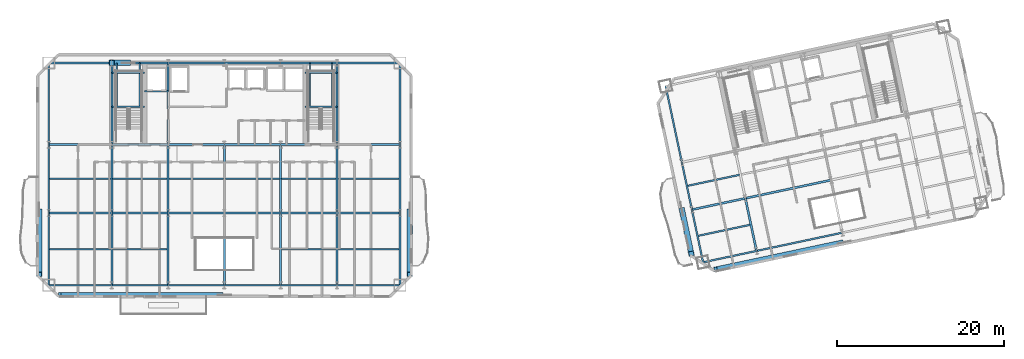
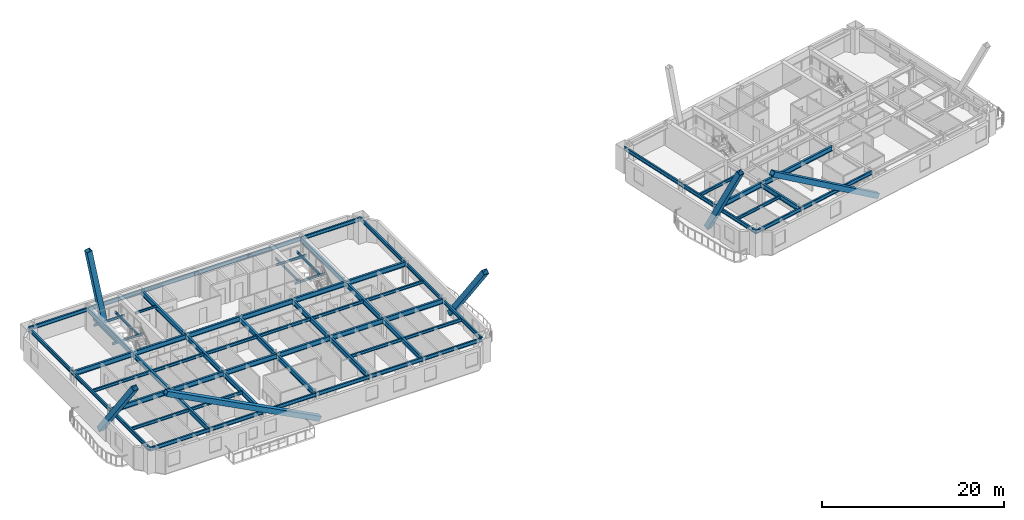
# One storey, part 3 of 14: 72 beams, 6 members.
"""IFC4 building model written with IfcOpenShell, lengths in metres."""

from ifc_helpers import new_model, si_unit, direction, frame, origin, origin_2d, place, context, subcontext, project, spatial, hollow_rectangle, i_section, extrude, material, material_profile, profile_set, type_object, element, save


model = new_model("IFC4")

# Units and contexts
model_context = context("Model", 3, precision=1e-05, world=origin(), true_north=direction((0.0, 1.0)))
body_context = subcontext(model_context, "Body", "Model", "MODEL_VIEW")
ifc_project = project(units=[si_unit("LENGTHUNIT", "METRE"), si_unit("AREAUNIT", "SQUARE_METRE"), si_unit("VOLUMEUNIT", "CUBIC_METRE"), si_unit("PLANEANGLEUNIT", "RADIAN"), si_unit("MASSUNIT", "GRAM", prefix="KILO")], contexts=[model_context])

# Site, building, storey
site_placement = place(None, origin())
site = spatial("IfcSite", under=ifc_project, at=site_placement, CompositionType="ELEMENT")
building_placement = place(site_placement, origin())
building = spatial("IfcBuilding", under=site, at=building_placement, Name="Haevon Station Towers", CompositionType="ELEMENT")
storey_placement = place(building_placement, frame((0.0, 0.0, 123.0)))
storey = spatial("IfcBuildingStorey", under=building, at=storey_placement, Name="L33", CompositionType="ELEMENT", Elevation=123.0)

# Beams
ifc_material_1 = material(Name="Steel S355", Category="steel")
ifc_material_profile_1 = material_profile(ifc_material_1, i_section(OverallWidth=0.25, OverallDepth=0.64990234375, WebThickness=0.012939453125, FlangeThickness=0.02197265625, at=origin_2d()), Name="H-650x250x13x22")
ifc_profile_set_1 = profile_set([ifc_material_profile_1], Name="Steel S355")
beam_type_1 = type_object("IfcBeamType", Name="BM-G650", PredefinedType="BEAM", material=ifc_profile_set_1)
beam_1_placement = place(storey_placement, frame((16.449951171875, 30.0, 2.72509765625), z_axis=(1.0, 0.0, 0.0), x_axis=(0.0, 1.0, 0.0)))
element("IfcBeam", 1, at=beam_1_placement, inside=storey, type_object=beam_type_1, Name="BM-T1U-L33-02-01", PredefinedType="BEAM", context=body_context, shape_type="SweptSolid", body=[
    extrude(i_section(OverallWidth=0.25, OverallDepth=0.64990234375, WebThickness=0.012939453125, FlangeThickness=0.02197265625, at=origin_2d()), origin(), (0.0, 0.0, 1.0), 7.550048828125),
])
for number, where, z_axis, x_axis, name in (
    (2, (24.0, 30.0, 2.72509765625), (1.0, 0.0, 0.0), (0.0, 1.0, 0.0), "BM-T1U-L33-02-02"),
    (3, (30.75, 30.0, 2.72509765625), (1.0, 0.0, 0.0), (0.0, 1.0, 0.0), "BM-T1U-L33-02-03"),
    (4, (37.5, 30.0, 2.72509765625), (1.0, 0.0, 0.0), (0.0, 1.0, 0.0), "BM-T1U-L33-02-04"),
    (5, (44.25, 30.0, 2.72509765625), (1.0, 0.0, 0.0), (0.0, 1.0, 0.0), "BM-T1U-L33-02-05"),
):
    element("IfcBeam", number, at=place(storey_placement, frame(where, z_axis=z_axis, x_axis=x_axis)), inside=storey, type_object=beam_type_1, Name=name, PredefinedType="BEAM", context=body_context, shape_type="SweptSolid", body=[
        extrude(i_section(OverallWidth=0.25, OverallDepth=0.64990234375, WebThickness=0.012939453125, FlangeThickness=0.02197265625, at=origin_2d()), origin(), (0.0, 0.0, 1.0), 6.75),
    ])
for number, where, z_axis, x_axis, name in (
    (6, (51.0, 30.0, 2.72509765625), (1.0, 0.0, 0.0), (0.0, 1.0, 0.0), "BM-T1U-L33-02-06"),
    (7, (16.449951171875, 38.199951171875, 2.72509765625), (1.0, 0.0, 0.0), (0.0, 1.0, 0.0), "BM-T1U-L33-03-01"),
):
    element("IfcBeam", number, at=place(storey_placement, frame(where, z_axis=z_axis, x_axis=x_axis)), inside=storey, type_object=beam_type_1, Name=name, PredefinedType="BEAM", context=body_context, shape_type="SweptSolid", body=[
        extrude(i_section(OverallWidth=0.25, OverallDepth=0.64990234375, WebThickness=0.012939453125, FlangeThickness=0.02197265625, at=origin_2d()), origin(), (0.0, 0.0, 1.0), 7.550048828125),
    ])
for number, where, z_axis, x_axis, name in (
    (8, (24.0, 38.199951171875, 2.72509765625), (1.0, 0.0, 0.0), (0.0, 1.0, 0.0), "BM-T1U-L33-03-02"),
    (9, (30.75, 38.199951171875, 2.72509765625), (1.0, 0.0, 0.0), (0.0, 1.0, 0.0), "BM-T1U-L33-03-03"),
    (10, (37.5, 38.199951171875, 2.72509765625), (1.0, 0.0, 0.0), (0.0, 1.0, 0.0), "BM-T1U-L33-03-04"),
    (11, (44.25, 38.199951171875, 2.72509765625), (1.0, 0.0, 0.0), (0.0, 1.0, 0.0), "BM-T1U-L33-03-05"),
):
    element("IfcBeam", number, at=place(storey_placement, frame(where, z_axis=z_axis, x_axis=x_axis)), inside=storey, type_object=beam_type_1, Name=name, PredefinedType="BEAM", context=body_context, shape_type="SweptSolid", body=[
        extrude(i_section(OverallWidth=0.25, OverallDepth=0.64990234375, WebThickness=0.012939453125, FlangeThickness=0.02197265625, at=origin_2d()), origin(), (0.0, 0.0, 1.0), 6.75),
    ])
beam_2_placement = place(storey_placement, frame((51.0, 38.199951171875, 2.72509765625), z_axis=(1.0, 0.0, 0.0), x_axis=(0.0, 1.0, 0.0)))
element("IfcBeam", 12, at=beam_2_placement, inside=storey, type_object=beam_type_1, Name="BM-T1U-L33-03-06", PredefinedType="BEAM", context=body_context, shape_type="SweptSolid", body=[
    extrude(i_section(OverallWidth=0.25, OverallDepth=0.64990234375, WebThickness=0.012939453125, FlangeThickness=0.02197265625, at=origin_2d()), origin(), (0.0, 0.0, 1.0), 7.550048828125),
])
beam_3_placement = place(storey_placement, frame((24.0, 21.35009765625, 2.72509765625), z_axis=(0.0, 1.0, 0.0), x_axis=(-1.0, 0.0, 0.0)))
element("IfcBeam", 13, at=beam_3_placement, inside=storey, type_object=beam_type_1, Name="BM-T1V-L33-02-01", PredefinedType="BEAM", context=body_context, shape_type="SweptSolid", body=[
    extrude(i_section(OverallWidth=0.25, OverallDepth=0.64990234375, WebThickness=0.012939453125, FlangeThickness=0.02197265625, at=origin_2d()), origin(), (0.0, 0.0, 1.0), 8.64990234375),
])
beam_4_placement = place(storey_placement, frame((24.0, 30.0, 2.72509765625), z_axis=(0.0, 1.0, 0.0), x_axis=(-1.0, 0.0, 0.0)))
element("IfcBeam", 14, at=beam_4_placement, inside=storey, type_object=beam_type_1, Name="BM-T1V-L33-02-02", PredefinedType="BEAM", context=body_context, shape_type="SweptSolid", body=[
    extrude(i_section(OverallWidth=0.25, OverallDepth=0.64990234375, WebThickness=0.012939453125, FlangeThickness=0.02197265625, at=origin_2d()), origin(), (0.0, 0.0, 1.0), 8.199951171875),
])
beam_5_placement = place(storey_placement, frame((24.0, 38.199951171875, 2.72509765625), z_axis=(0.0, 1.0, 0.0), x_axis=(-1.0, 0.0, 0.0)))
element("IfcBeam", 15, at=beam_5_placement, inside=storey, type_object=beam_type_1, Name="BM-T1V-L33-02-03", PredefinedType="BEAM", context=body_context, shape_type="SweptSolid", body=[
    extrude(i_section(OverallWidth=0.25, OverallDepth=0.64990234375, WebThickness=0.012939453125, FlangeThickness=0.02197265625, at=origin_2d()), origin(), (0.0, 0.0, 1.0), 9.800048828125),
])
beam_6_placement = place(storey_placement, frame((30.75, 21.35009765625, 2.72509765625), z_axis=(0.0, 1.0, 0.0), x_axis=(-1.0, 0.0, 0.0)))
element("IfcBeam", 16, at=beam_6_placement, inside=storey, type_object=beam_type_1, Name="BM-T1V-L33-03-01", PredefinedType="BEAM", context=body_context, shape_type="SweptSolid", body=[
    extrude(i_section(OverallWidth=0.25, OverallDepth=0.64990234375, WebThickness=0.012939453125, FlangeThickness=0.02197265625, at=origin_2d()), origin(), (0.0, 0.0, 1.0), 8.64990234375),
])
beam_7_placement = place(storey_placement, frame((30.75, 30.0, 2.72509765625), z_axis=(0.0, 1.0, 0.0), x_axis=(-1.0, 0.0, 0.0)))
element("IfcBeam", 17, at=beam_7_placement, inside=storey, type_object=beam_type_1, Name="BM-T1V-L33-03-02", PredefinedType="BEAM", context=body_context, shape_type="SweptSolid", body=[
    extrude(i_section(OverallWidth=0.25, OverallDepth=0.64990234375, WebThickness=0.012939453125, FlangeThickness=0.02197265625, at=origin_2d()), origin(), (0.0, 0.0, 1.0), 8.199951171875),
])
beam_8_placement = place(storey_placement, frame((30.75, 38.199951171875, 2.72509765625), z_axis=(0.0, 1.0, 0.0), x_axis=(-1.0, 0.0, 0.0)))
element("IfcBeam", 18, at=beam_8_placement, inside=storey, type_object=beam_type_1, Name="BM-T1V-L33-03-03", PredefinedType="BEAM", context=body_context, shape_type="SweptSolid", body=[
    extrude(i_section(OverallWidth=0.25, OverallDepth=0.64990234375, WebThickness=0.012939453125, FlangeThickness=0.02197265625, at=origin_2d()), origin(), (0.0, 0.0, 1.0), 9.800048828125),
])
beam_9_placement = place(storey_placement, frame((37.5, 21.35009765625, 2.72509765625), z_axis=(0.0, 1.0, 0.0), x_axis=(-1.0, 0.0, 0.0)))
element("IfcBeam", 19, at=beam_9_placement, inside=storey, type_object=beam_type_1, Name="BM-T1V-L33-04-01", PredefinedType="BEAM", context=body_context, shape_type="SweptSolid", body=[
    extrude(i_section(OverallWidth=0.25, OverallDepth=0.64990234375, WebThickness=0.012939453125, FlangeThickness=0.02197265625, at=origin_2d()), origin(), (0.0, 0.0, 1.0), 8.64990234375),
])
beam_10_placement = place(storey_placement, frame((37.5, 30.0, 2.72509765625), z_axis=(0.0, 1.0, 0.0), x_axis=(-1.0, 0.0, 0.0)))
element("IfcBeam", 20, at=beam_10_placement, inside=storey, type_object=beam_type_1, Name="BM-T1V-L33-04-02", PredefinedType="BEAM", context=body_context, shape_type="SweptSolid", body=[
    extrude(i_section(OverallWidth=0.25, OverallDepth=0.64990234375, WebThickness=0.012939453125, FlangeThickness=0.02197265625, at=origin_2d()), origin(), (0.0, 0.0, 1.0), 8.199951171875),
])
beam_11_placement = place(storey_placement, frame((44.25, 21.35009765625, 2.72509765625), z_axis=(0.0, 1.0, 0.0), x_axis=(-1.0, 0.0, 0.0)))
element("IfcBeam", 21, at=beam_11_placement, inside=storey, type_object=beam_type_1, Name="BM-T1V-L33-05-01", PredefinedType="BEAM", context=body_context, shape_type="SweptSolid", body=[
    extrude(i_section(OverallWidth=0.25, OverallDepth=0.64990234375, WebThickness=0.012939453125, FlangeThickness=0.02197265625, at=origin_2d()), origin(), (0.0, 0.0, 1.0), 8.64990234375),
])
beam_12_placement = place(storey_placement, frame((44.25, 30.0, 2.72509765625), z_axis=(0.0, 1.0, 0.0), x_axis=(-1.0, 0.0, 0.0)))
element("IfcBeam", 22, at=beam_12_placement, inside=storey, type_object=beam_type_1, Name="BM-T1V-L33-05-02", PredefinedType="BEAM", context=body_context, shape_type="SweptSolid", body=[
    extrude(i_section(OverallWidth=0.25, OverallDepth=0.64990234375, WebThickness=0.012939453125, FlangeThickness=0.02197265625, at=origin_2d()), origin(), (0.0, 0.0, 1.0), 8.199951171875),
])
beam_13_placement = place(storey_placement, frame((51.0, 21.35009765625, 2.72509765625), z_axis=(0.0, 1.0, 0.0), x_axis=(-1.0, 0.0, 0.0)))
element("IfcBeam", 23, at=beam_13_placement, inside=storey, type_object=beam_type_1, Name="BM-T1V-L33-06-01", PredefinedType="BEAM", context=body_context, shape_type="SweptSolid", body=[
    extrude(i_section(OverallWidth=0.25, OverallDepth=0.64990234375, WebThickness=0.012939453125, FlangeThickness=0.02197265625, at=origin_2d()), origin(), (0.0, 0.0, 1.0), 8.64990234375),
])
beam_14_placement = place(storey_placement, frame((51.0, 30.0, 2.72509765625), z_axis=(0.0, 1.0, 0.0), x_axis=(-1.0, 0.0, 0.0)))
element("IfcBeam", 24, at=beam_14_placement, inside=storey, type_object=beam_type_1, Name="BM-T1V-L33-06-02", PredefinedType="BEAM", context=body_context, shape_type="SweptSolid", body=[
    extrude(i_section(OverallWidth=0.25, OverallDepth=0.64990234375, WebThickness=0.012939453125, FlangeThickness=0.02197265625, at=origin_2d()), origin(), (0.0, 0.0, 1.0), 8.199951171875),
])
beam_15_placement = place(storey_placement, frame((51.0, 38.199951171875, 2.72509765625), z_axis=(0.0, 1.0, 0.0), x_axis=(-1.0, 0.0, 0.0)))
element("IfcBeam", 25, at=beam_15_placement, inside=storey, type_object=beam_type_1, Name="BM-T1V-L33-06-03", PredefinedType="BEAM", context=body_context, shape_type="SweptSolid", body=[
    extrude(i_section(OverallWidth=0.25, OverallDepth=0.64990234375, WebThickness=0.012939453125, FlangeThickness=0.02197265625, at=origin_2d()), origin(), (0.0, 0.0, 1.0), 9.800048828125),
])
beam_16_placement = place(storey_placement, frame((93.55126953125, 30.4072265625, 2.72509765625), z_axis=(0.978148524343, 0.207907345532, 0.0), x_axis=(-0.207907345532, 0.978148524343, 0.0)))
element("IfcBeam", 26, at=beam_16_placement, inside=storey, type_object=beam_type_1, Name="BM-T2U-L33-02-01", PredefinedType="BEAM", context=body_context, shape_type="SweptSolid", body=[
    extrude(i_section(OverallWidth=0.25, OverallDepth=0.64990234375, WebThickness=0.012939453125, FlangeThickness=0.02197265625, at=origin_2d()), origin(), (0.0, 0.0, 1.0), 6.550048828125),
])
beam_17_placement = place(storey_placement, frame((99.958251953125, 31.76904296875, 2.72509765625), z_axis=(0.978146794194, 0.207915485254, 0.0), x_axis=(-0.207915485254, 0.978146794194, 0.0)))
element("IfcBeam", 27, at=beam_17_placement, inside=storey, type_object=beam_type_1, Name="BM-T2U-L33-02-02", PredefinedType="BEAM", context=body_context, shape_type="SweptSolid", body=[
    extrude(i_section(OverallWidth=0.25, OverallDepth=0.64990234375, WebThickness=0.012939453125, FlangeThickness=0.02197265625, at=origin_2d()), origin(), (0.0, 0.0, 1.0), 10.5),
])
beam_18_placement = place(storey_placement, frame((101.29931640625, 25.460205078125, 2.72509765625), z_axis=(-0.207923493292, 0.978145091966, 0.0), x_axis=(-0.978145091966, -0.207923493292, 0.0)))
element("IfcBeam", 28, at=beam_18_placement, inside=storey, type_object=beam_type_1, Name="BM-T2V-L33-02-01", PredefinedType="BEAM", context=body_context, shape_type="SweptSolid", body=[
    extrude(i_section(OverallWidth=0.25, OverallDepth=0.64990234375, WebThickness=0.012939453125, FlangeThickness=0.02197265625, at=origin_2d()), origin(), (0.0, 0.0, 1.0), 6.44970703125),
])
ifc_material_profile_2 = material_profile(ifc_material_1, i_section(OverallWidth=0.199951171875, OverallDepth=0.39990234375, WebThickness=0.008056640625, FlangeThickness=0.012939453125, at=origin_2d()), Name="H-400x200x8x13")
ifc_profile_set_2 = profile_set([ifc_material_profile_2], Name="Steel S355")
beam_type_2 = type_object("IfcBeamType", Name="BM-J400", PredefinedType="JOIST", material=ifc_profile_set_2)
beam_19_placement = place(storey_placement, frame((16.56005859375, 25.675048828125, 2.85009765625), z_axis=(1.0, 0.0, 0.0), x_axis=(0.0, 1.0, 0.0)))
element("IfcBeam", 29, at=beam_19_placement, inside=storey, type_object=beam_type_2, Name="BM-T1J-L33-01-01", PredefinedType="JOIST", context=body_context, shape_type="SweptSolid", body=[
    extrude(i_section(OverallWidth=0.199951171875, OverallDepth=0.39990234375, WebThickness=0.008056640625, FlangeThickness=0.012939453125, at=origin_2d()), origin(), (0.0, 0.0, 1.0), 7.329833984375),
])
for number, where, z_axis, x_axis, name in (
    (30, (24.110107421875, 25.675048828125, 2.85009765625), (1.0, 0.0, 0.0), (0.0, 1.0, 0.0), "BM-T1J-L33-01-02"),
    (31, (44.360107421875, 25.675048828125, 2.85009765625), (1.0, 0.0, 0.0), (0.0, 1.0, 0.0), "BM-T1J-L33-01-05"),
):
    element("IfcBeam", number, at=place(storey_placement, frame(where, z_axis=z_axis, x_axis=x_axis)), inside=storey, type_object=beam_type_2, Name=name, PredefinedType="JOIST", context=body_context, shape_type="SweptSolid", body=[
        extrude(i_section(OverallWidth=0.199951171875, OverallDepth=0.39990234375, WebThickness=0.008056640625, FlangeThickness=0.012939453125, at=origin_2d()), origin(), (0.0, 0.0, 1.0), 6.52978515625),
    ])
for number, where, z_axis, x_axis, name in (
    (32, (51.110107421875, 25.675048828125, 2.85009765625), (1.0, 0.0, 0.0), (0.0, 1.0, 0.0), "BM-T1J-L33-01-06"),
    (33, (16.56005859375, 34.10009765625, 2.85009765625), (1.0, 0.0, 0.0), (0.0, 1.0, 0.0), "BM-T1J-L33-02-01"),
):
    element("IfcBeam", number, at=place(storey_placement, frame(where, z_axis=z_axis, x_axis=x_axis)), inside=storey, type_object=beam_type_2, Name=name, PredefinedType="JOIST", context=body_context, shape_type="SweptSolid", body=[
        extrude(i_section(OverallWidth=0.199951171875, OverallDepth=0.39990234375, WebThickness=0.008056640625, FlangeThickness=0.012939453125, at=origin_2d()), origin(), (0.0, 0.0, 1.0), 7.329833984375),
    ])
for number, where, z_axis, x_axis, name in (
    (34, (24.110107421875, 34.10009765625, 2.85009765625), (1.0, 0.0, 0.0), (0.0, 1.0, 0.0), "BM-T1J-L33-02-02"),
    (35, (30.860107421875, 34.10009765625, 2.85009765625), (1.0, 0.0, 0.0), (0.0, 1.0, 0.0), "BM-T1J-L33-02-03"),
    (36, (37.610107421875, 34.10009765625, 2.85009765625), (1.0, 0.0, 0.0), (0.0, 1.0, 0.0), "BM-T1J-L33-02-04"),
    (37, (44.360107421875, 34.10009765625, 2.85009765625), (1.0, 0.0, 0.0), (0.0, 1.0, 0.0), "BM-T1J-L33-02-05"),
):
    element("IfcBeam", number, at=place(storey_placement, frame(where, z_axis=z_axis, x_axis=x_axis)), inside=storey, type_object=beam_type_2, Name=name, PredefinedType="JOIST", context=body_context, shape_type="SweptSolid", body=[
        extrude(i_section(OverallWidth=0.199951171875, OverallDepth=0.39990234375, WebThickness=0.008056640625, FlangeThickness=0.012939453125, at=origin_2d()), origin(), (0.0, 0.0, 1.0), 6.52978515625),
    ])
beam_20_placement = place(storey_placement, frame((51.110107421875, 34.10009765625, 2.85009765625), z_axis=(1.0, 0.0, 0.0), x_axis=(0.0, 1.0, 0.0)))
element("IfcBeam", 38, at=beam_20_placement, inside=storey, type_object=beam_type_2, Name="BM-T1J-L33-02-06", PredefinedType="JOIST", context=body_context, shape_type="SweptSolid", body=[
    extrude(i_section(OverallWidth=0.199951171875, OverallDepth=0.39990234375, WebThickness=0.008056640625, FlangeThickness=0.012939453125, at=origin_2d()), origin(), (0.0, 0.0, 1.0), 7.329833984375),
])
beam_21_placement = place(storey_placement, frame((94.32958984375, 27.275634765625, 2.85009765625), z_axis=(0.978144831517, 0.207924718533, 0.0), x_axis=(-0.207924718533, 0.978144831517, 0.0)))
element("IfcBeam", 39, at=beam_21_placement, inside=storey, type_object=beam_type_2, Name="BM-T2J-L33-01-01", PredefinedType="JOIST", context=body_context, shape_type="SweptSolid", body=[
    extrude(i_section(OverallWidth=0.199951171875, OverallDepth=0.39990234375, WebThickness=0.008056640625, FlangeThickness=0.012939453125, at=origin_2d()), origin(), (0.0, 0.0, 1.0), 6.330078125),
])
beam_22_placement = place(storey_placement, frame((93.055908203125, 33.266845703125, 2.85009765625), z_axis=(0.978146498858, 0.207916874669, 0.0), x_axis=(-0.207916874669, 0.978146498858, 0.0)))
element("IfcBeam", 40, at=beam_22_placement, inside=storey, type_object=beam_type_2, Name="BM-T2J-L33-02-01", PredefinedType="JOIST", context=body_context, shape_type="SweptSolid", body=[
    extrude(i_section(OverallWidth=0.199951171875, OverallDepth=0.39990234375, WebThickness=0.008056640625, FlangeThickness=0.012939453125, at=origin_2d()), origin(), (0.0, 0.0, 1.0), 6.330322265625),
])
ifc_material_profile_3 = material_profile(ifc_material_1, i_section(OverallWidth=0.14990234375, OverallDepth=0.300048828125, WebThickness=0.006591796875, FlangeThickness=0.009033203125, at=origin_2d()), Name="H-300x150x6.5x9")
ifc_profile_set_3 = profile_set([ifc_material_profile_3], Name="Steel S355")
beam_type_3 = type_object("IfcBeamType", Name="BM-LIN300", PredefinedType="LINTEL", material=ifc_profile_set_3)
for number, where, z_axis, x_axis, name in (
    (41, (24.0, 42.743896484375, 1.300048828125), (1.0, 0.0, 0.0), (0.0, 1.0, 0.0), "BM-ST1L-L33-1-S"),
    (42, (24.0, 46.820068359375, 1.300048828125), (1.0, 0.0, 0.0), (0.0, 1.0, 0.0), "BM-ST1L-L33-1-N"),
):
    element("IfcBeam", number, at=place(storey_placement, frame(where, z_axis=z_axis, x_axis=x_axis)), inside=storey, type_object=beam_type_3, Name=name, PredefinedType="LINTEL", context=body_context, shape_type="SweptSolid", body=[
        extrude(i_section(OverallWidth=0.14990234375, OverallDepth=0.300048828125, WebThickness=0.006591796875, FlangeThickness=0.009033203125, at=origin_2d()), origin(), (0.0, 0.0, 1.0), 3.949951171875),
    ])
for number, where, z_axis, x_axis, name in (
    (43, (24.60009765625, 42.743896484375, 1.300048828125), (0.0, 1.0, 0.0), (-1.0, 0.0, 0.0), "BM-ST1L-L33-1-W"),
    (44, (27.35009765625, 42.743896484375, 1.300048828125), (0.0, 1.0, 0.0), (-1.0, 0.0, 0.0), "BM-ST1L-L33-1-E"),
):
    element("IfcBeam", number, at=place(storey_placement, frame(where, z_axis=z_axis, x_axis=x_axis)), inside=storey, type_object=beam_type_3, Name=name, PredefinedType="LINTEL", context=body_context, shape_type="SweptSolid", body=[
        extrude(i_section(OverallWidth=0.14990234375, OverallDepth=0.300048828125, WebThickness=0.006591796875, FlangeThickness=0.009033203125, at=origin_2d()), origin(), (0.0, 0.0, 1.0), 5.256103515625),
    ])
for number, where, z_axis, x_axis, name in (
    (45, (47.14990234375, 42.743896484375, 1.300048828125), (1.0, 0.0, 0.0), (0.0, 1.0, 0.0), "BM-ST2L-L33-1-S"),
    (46, (47.14990234375, 46.820068359375, 1.300048828125), (1.0, 0.0, 0.0), (0.0, 1.0, 0.0), "BM-ST2L-L33-1-N"),
):
    element("IfcBeam", number, at=place(storey_placement, frame(where, z_axis=z_axis, x_axis=x_axis)), inside=storey, type_object=beam_type_3, Name=name, PredefinedType="LINTEL", context=body_context, shape_type="SweptSolid", body=[
        extrude(i_section(OverallWidth=0.14990234375, OverallDepth=0.300048828125, WebThickness=0.006591796875, FlangeThickness=0.009033203125, at=origin_2d()), origin(), (0.0, 0.0, 1.0), 3.85009765625),
    ])
for number, where, z_axis, x_axis, name in (
    (47, (47.75, 42.743896484375, 1.300048828125), (0.0, 1.0, 0.0), (-1.0, 0.0, 0.0), "BM-ST2L-L33-1-W"),
    (48, (50.39990234375, 42.743896484375, 1.300048828125), (0.0, 1.0, 0.0), (-1.0, 0.0, 0.0), "BM-ST2L-L33-1-E"),
):
    element("IfcBeam", number, at=place(storey_placement, frame(where, z_axis=z_axis, x_axis=x_axis)), inside=storey, type_object=beam_type_3, Name=name, PredefinedType="LINTEL", context=body_context, shape_type="SweptSolid", body=[
        extrude(i_section(OverallWidth=0.14990234375, OverallDepth=0.300048828125, WebThickness=0.006591796875, FlangeThickness=0.009033203125, at=origin_2d()), origin(), (0.0, 0.0, 1.0), 5.256103515625),
    ])
beam_23_placement = place(storey_placement, frame((27.949951171875, 44.60009765625, 2.89990234375), z_axis=(1.0, 0.0, 0.0), x_axis=(0.0, 1.0, 0.0)))
element("IfcBeam", 49, at=beam_23_placement, inside=storey, type_object=beam_type_3, Name="BM-T1LIN-L33", PredefinedType="LINTEL", context=body_context, shape_type="SweptSolid", body=[
    extrude(i_section(OverallWidth=0.14990234375, OverallDepth=0.300048828125, WebThickness=0.006591796875, FlangeThickness=0.009033203125, at=origin_2d()), origin(), (0.0, 0.0, 1.0), 2.85009765625),
])
ifc_material_profile_4 = material_profile(ifc_material_1, i_section(OverallWidth=0.199951171875, OverallDepth=0.5, WebThickness=0.010009765625, FlangeThickness=0.01611328125, at=origin_2d()), Name="H-500x200x10x16")
ifc_profile_set_4 = profile_set([ifc_material_profile_4], Name="Steel S355")
beam_type_4 = type_object("IfcBeamType", Name="BM-SP500", PredefinedType="SPANDREL", material=ifc_profile_set_4)
beam_24_placement = place(storey_placement, frame((16.449951171875, 21.35009765625, 2.800048828125), z_axis=(1.0, 0.0, 0.0), x_axis=(0.0, 1.0, 0.0)))
element("IfcBeam", 50, at=beam_24_placement, inside=storey, type_object=beam_type_4, Name="BM-T1U-L33-01-01", PredefinedType="SPANDREL", context=body_context, shape_type="SweptSolid", body=[
    extrude(i_section(OverallWidth=0.199951171875, OverallDepth=0.5, WebThickness=0.010009765625, FlangeThickness=0.01611328125, at=origin_2d()), origin(), (0.0, 0.0, 1.0), 7.550048828125),
])
for number, where, z_axis, x_axis, name in (
    (51, (24.0, 21.35009765625, 2.800048828125), (1.0, 0.0, 0.0), (0.0, 1.0, 0.0), "BM-T1U-L33-01-02"),
    (52, (30.75, 21.35009765625, 2.800048828125), (1.0, 0.0, 0.0), (0.0, 1.0, 0.0), "BM-T1U-L33-01-03"),
    (53, (37.5, 21.35009765625, 2.800048828125), (1.0, 0.0, 0.0), (0.0, 1.0, 0.0), "BM-T1U-L33-01-04"),
    (54, (44.25, 21.35009765625, 2.800048828125), (1.0, 0.0, 0.0), (0.0, 1.0, 0.0), "BM-T1U-L33-01-05"),
):
    element("IfcBeam", number, at=place(storey_placement, frame(where, z_axis=z_axis, x_axis=x_axis)), inside=storey, type_object=beam_type_4, Name=name, PredefinedType="SPANDREL", context=body_context, shape_type="SweptSolid", body=[
        extrude(i_section(OverallWidth=0.199951171875, OverallDepth=0.5, WebThickness=0.010009765625, FlangeThickness=0.01611328125, at=origin_2d()), origin(), (0.0, 0.0, 1.0), 6.75),
    ])
for number, where, z_axis, x_axis, name in (
    (55, (51.0, 21.35009765625, 2.800048828125), (1.0, 0.0, 0.0), (0.0, 1.0, 0.0), "BM-T1U-L33-01-06"),
    (56, (16.449951171875, 48.0, 2.800048828125), (1.0, 0.0, 0.0), (0.0, 1.0, 0.0), "BM-T1U-L33-04-01"),
):
    element("IfcBeam", number, at=place(storey_placement, frame(where, z_axis=z_axis, x_axis=x_axis)), inside=storey, type_object=beam_type_4, Name=name, PredefinedType="SPANDREL", context=body_context, shape_type="SweptSolid", body=[
        extrude(i_section(OverallWidth=0.199951171875, OverallDepth=0.5, WebThickness=0.010009765625, FlangeThickness=0.01611328125, at=origin_2d()), origin(), (0.0, 0.0, 1.0), 7.550048828125),
    ])
for number, where, z_axis, x_axis, name in (
    (57, (24.0, 48.0, 2.800048828125), (1.0, 0.0, 0.0), (0.0, 1.0, 0.0), "BM-T1U-L33-04-02"),
    (58, (30.75, 48.0, 2.800048828125), (1.0, 0.0, 0.0), (0.0, 1.0, 0.0), "BM-T1U-L33-04-03"),
    (59, (37.5, 48.0, 2.800048828125), (1.0, 0.0, 0.0), (0.0, 1.0, 0.0), "BM-T1U-L33-04-04"),
    (60, (44.25, 48.0, 2.800048828125), (1.0, 0.0, 0.0), (0.0, 1.0, 0.0), "BM-T1U-L33-04-05"),
):
    element("IfcBeam", number, at=place(storey_placement, frame(where, z_axis=z_axis, x_axis=x_axis)), inside=storey, type_object=beam_type_4, Name=name, PredefinedType="SPANDREL", context=body_context, shape_type="SweptSolid", body=[
        extrude(i_section(OverallWidth=0.199951171875, OverallDepth=0.5, WebThickness=0.010009765625, FlangeThickness=0.01611328125, at=origin_2d()), origin(), (0.0, 0.0, 1.0), 6.75),
    ])
beam_25_placement = place(storey_placement, frame((51.0, 48.0, 2.800048828125), z_axis=(1.0, 0.0, 0.0), x_axis=(0.0, 1.0, 0.0)))
element("IfcBeam", 61, at=beam_25_placement, inside=storey, type_object=beam_type_4, Name="BM-T1U-L33-04-06", PredefinedType="SPANDREL", context=body_context, shape_type="SweptSolid", body=[
    extrude(i_section(OverallWidth=0.199951171875, OverallDepth=0.5, WebThickness=0.010009765625, FlangeThickness=0.01611328125, at=origin_2d()), origin(), (0.0, 0.0, 1.0), 7.550048828125),
])
beam_26_placement = place(storey_placement, frame((16.449951171875, 21.35009765625, 2.800048828125), z_axis=(0.0, 1.0, 0.0), x_axis=(-1.0, 0.0, 0.0)))
element("IfcBeam", 62, at=beam_26_placement, inside=storey, type_object=beam_type_4, Name="BM-T1V-L33-01-01", PredefinedType="SPANDREL", context=body_context, shape_type="SweptSolid", body=[
    extrude(i_section(OverallWidth=0.199951171875, OverallDepth=0.5, WebThickness=0.010009765625, FlangeThickness=0.01611328125, at=origin_2d()), origin(), (0.0, 0.0, 1.0), 8.64990234375),
])
beam_27_placement = place(storey_placement, frame((16.449951171875, 30.0, 2.800048828125), z_axis=(0.0, 1.0, 0.0), x_axis=(-1.0, 0.0, 0.0)))
element("IfcBeam", 63, at=beam_27_placement, inside=storey, type_object=beam_type_4, Name="BM-T1V-L33-01-02", PredefinedType="SPANDREL", context=body_context, shape_type="SweptSolid", body=[
    extrude(i_section(OverallWidth=0.199951171875, OverallDepth=0.5, WebThickness=0.010009765625, FlangeThickness=0.01611328125, at=origin_2d()), origin(), (0.0, 0.0, 1.0), 8.199951171875),
])
beam_28_placement = place(storey_placement, frame((16.449951171875, 38.199951171875, 2.800048828125), z_axis=(0.0, 1.0, 0.0), x_axis=(-1.0, 0.0, 0.0)))
element("IfcBeam", 64, at=beam_28_placement, inside=storey, type_object=beam_type_4, Name="BM-T1V-L33-01-03", PredefinedType="SPANDREL", context=body_context, shape_type="SweptSolid", body=[
    extrude(i_section(OverallWidth=0.199951171875, OverallDepth=0.5, WebThickness=0.010009765625, FlangeThickness=0.01611328125, at=origin_2d()), origin(), (0.0, 0.0, 1.0), 9.800048828125),
])
beam_29_placement = place(storey_placement, frame((58.550048828125, 21.35009765625, 2.800048828125), z_axis=(0.0, 1.0, 0.0), x_axis=(-1.0, 0.0, 0.0)))
element("IfcBeam", 65, at=beam_29_placement, inside=storey, type_object=beam_type_4, Name="BM-T1V-L33-07-01", PredefinedType="SPANDREL", context=body_context, shape_type="SweptSolid", body=[
    extrude(i_section(OverallWidth=0.199951171875, OverallDepth=0.5, WebThickness=0.010009765625, FlangeThickness=0.01611328125, at=origin_2d()), origin(), (0.0, 0.0, 1.0), 8.64990234375),
])
beam_30_placement = place(storey_placement, frame((58.550048828125, 30.0, 2.800048828125), z_axis=(0.0, 1.0, 0.0), x_axis=(-1.0, 0.0, 0.0)))
element("IfcBeam", 66, at=beam_30_placement, inside=storey, type_object=beam_type_4, Name="BM-T1V-L33-07-02", PredefinedType="SPANDREL", context=body_context, shape_type="SweptSolid", body=[
    extrude(i_section(OverallWidth=0.199951171875, OverallDepth=0.5, WebThickness=0.010009765625, FlangeThickness=0.01611328125, at=origin_2d()), origin(), (0.0, 0.0, 1.0), 8.199951171875),
])
beam_31_placement = place(storey_placement, frame((58.550048828125, 38.199951171875, 2.800048828125), z_axis=(0.0, 1.0, 0.0), x_axis=(-1.0, 0.0, 0.0)))
element("IfcBeam", 67, at=beam_31_placement, inside=storey, type_object=beam_type_4, Name="BM-T1V-L33-07-03", PredefinedType="SPANDREL", context=body_context, shape_type="SweptSolid", body=[
    extrude(i_section(OverallWidth=0.199951171875, OverallDepth=0.5, WebThickness=0.010009765625, FlangeThickness=0.01611328125, at=origin_2d()), origin(), (0.0, 0.0, 1.0), 9.800048828125),
])
beam_32_placement = place(storey_placement, frame((94.892333984375, 24.098388671875, 2.800048828125), z_axis=(0.978148524343, 0.207907345532, 0.0), x_axis=(-0.207907345532, 0.978148524343, 0.0)))
element("IfcBeam", 68, at=beam_32_placement, inside=storey, type_object=beam_type_4, Name="BM-T2U-L33-01-01", PredefinedType="SPANDREL", context=body_context, shape_type="SweptSolid", body=[
    extrude(i_section(OverallWidth=0.199951171875, OverallDepth=0.5, WebThickness=0.010009765625, FlangeThickness=0.01611328125, at=origin_2d()), origin(), (0.0, 0.0, 1.0), 6.550048828125),
])
beam_33_placement = place(storey_placement, frame((101.29931640625, 25.460205078125, 2.800048828125), z_axis=(0.978151522678, 0.207893238667, 0.0), x_axis=(-0.207893238667, 0.978151522678, 0.0)))
element("IfcBeam", 69, at=beam_33_placement, inside=storey, type_object=beam_type_4, Name="BM-T2U-L33-01-02", PredefinedType="SPANDREL", context=body_context, shape_type="SweptSolid", body=[
    extrude(i_section(OverallWidth=0.199951171875, OverallDepth=0.5, WebThickness=0.010009765625, FlangeThickness=0.01611328125, at=origin_2d()), origin(), (0.0, 0.0, 1.0), 10.5),
])
beam_34_placement = place(storey_placement, frame((94.892333984375, 24.098388671875, 2.800048828125), z_axis=(-0.207923493292, 0.978145091966, 0.0), x_axis=(-0.978145091966, -0.207923493292, 0.0)))
element("IfcBeam", 70, at=beam_34_placement, inside=storey, type_object=beam_type_4, Name="BM-T2V-L33-01-01", PredefinedType="SPANDREL", context=body_context, shape_type="SweptSolid", body=[
    extrude(i_section(OverallWidth=0.199951171875, OverallDepth=0.5, WebThickness=0.010009765625, FlangeThickness=0.01611328125, at=origin_2d()), origin(), (0.0, 0.0, 1.0), 6.44970703125),
])
beam_35_placement = place(storey_placement, frame((93.55126953125, 30.4072265625, 2.800048828125), z_axis=(-0.207896009217, 0.97815093383, 0.0), x_axis=(-0.97815093383, -0.207896009217, 0.0)))
element("IfcBeam", 71, at=beam_35_placement, inside=storey, type_object=beam_type_4, Name="BM-T2V-L33-01-02", PredefinedType="SPANDREL", context=body_context, shape_type="SweptSolid", body=[
    extrude(i_section(OverallWidth=0.199951171875, OverallDepth=0.5, WebThickness=0.010009765625, FlangeThickness=0.01611328125, at=origin_2d()), origin(), (0.0, 0.0, 1.0), 5.800048828125),
])
beam_36_placement = place(storey_placement, frame((92.345458984375, 36.08056640625, 2.800048828125), z_axis=(-0.207897167074, 0.978150687738, 0.0), x_axis=(-0.978150687738, -0.207897167074, 0.0)))
element("IfcBeam", 72, at=beam_36_placement, inside=storey, type_object=beam_type_4, Name="BM-T2V-L33-01-03", PredefinedType="SPANDREL", context=body_context, shape_type="SweptSolid", body=[
    extrude(i_section(OverallWidth=0.199951171875, OverallDepth=0.5, WebThickness=0.010009765625, FlangeThickness=0.01611328125, at=origin_2d()), origin(), (0.0, 0.0, 1.0), 9.35009765625),
])

# Members
ifc_material_2 = material(Name="Steel S460", Category="steel")
ifc_material_profile_5 = material_profile(ifc_material_2, hollow_rectangle(XDim=0.64990234375, YDim=0.64990234375, WallThickness=0.031982421875, at=origin_2d()), Name="RHS-650x650x32")
ifc_profile_set_5 = profile_set([ifc_material_profile_5], Name="Steel S460")
member_type = type_object("IfcMemberType", Name="MB-650", PredefinedType="BRACE", material=ifc_profile_set_5)
member_1_placement = place(storey_placement, frame((37.201416015625, 20.179931640625, 0.47119140625), z_axis=(-0.886021047832, 0.0, 0.463645018089), x_axis=(0.0, -1.0, 0.0)))
element("IfcMember", 73, at=member_1_placement, inside=storey, type_object=member_type, Name="BR-T1MB-T04-S-D2B", PredefinedType="BRACE", context=body_context, shape_type="SweptSolid", body=[
    extrude(hollow_rectangle(XDim=0.64990234375, YDim=0.64990234375, WallThickness=0.031982421875, at=origin_2d()), origin(), (0.0, 0.0, 1.0), 21.95361328125),
])
member_2_placement = place(storey_placement, frame((25.911865234375, 48.0, 0.64599609375), z_axis=(-0.187714592367, 0.0, 0.982223615992), x_axis=(0.0, -1.0, 0.0)))
element("IfcMember", 74, at=member_2_placement, inside=storey, type_object=member_type, Name="BR-T1MB-T04-N-D2B", PredefinedType="BRACE", context=body_context, shape_type="SweptSolid", body=[
    extrude(hollow_rectangle(XDim=0.64990234375, YDim=0.64990234375, WallThickness=0.031982421875, at=origin_2d()), origin(), (0.0, 0.0, 1.0), 10.18505859375),
])
for number, where, z_axis, x_axis, name in (
    (75, (15.280029296875, 30.222412109375, 0.584228515625), (0.0, -0.60118089079, 0.799112968578), (1.0, 0.0, 0.0), "BR-T1MB-T04-W-D2B"),
    (76, (59.719970703125, 30.222412109375, 0.584228515625), (0.0, -0.60118089079, 0.799112968578), (1.0, 0.0, 0.0), "BR-T1MB-T04-E-D2B"),
):
    element("IfcMember", number, at=place(storey_placement, frame(where, z_axis=z_axis, x_axis=x_axis)), inside=storey, type_object=member_type, Name=name, PredefinedType="BRACE", context=body_context, shape_type="SweptSolid", body=[
        extrude(hollow_rectangle(XDim=0.64990234375, YDim=0.64990234375, WallThickness=0.031982421875, at=origin_2d()), origin(), (0.0, 0.0, 1.0), 12.595947265625),
    ])
member_3_placement = place(storey_placement, frame((111.53759765625, 26.440185546875, 0.5), z_axis=(-0.817808056286, -0.173830727813, 0.548609935329), x_axis=(0.207911987507, -0.978147537671, 0.0)))
element("IfcMember", 77, at=member_3_placement, inside=storey, type_object=member_type, Name="BR-T2MB-T04-S-D2B", PredefinedType="BRACE", context=body_context, shape_type="SweptSolid", body=[
    extrude(hollow_rectangle(XDim=0.64990234375, YDim=0.64990234375, WallThickness=0.031982421875, at=origin_2d()), origin(), (0.0, 0.0, 1.0), 18.501220703125),
])
member_4_placement = place(storey_placement, frame((92.3720703125, 30.32763671875, 0.61279296875), z_axis=(0.097346624692, -0.457888086954, 0.883664039376), x_axis=(0.978139125272, 0.207951560736, 0.0)))
element("IfcMember", 78, at=member_4_placement, inside=storey, type_object=member_type, Name="BR-T2MB-T04-W-D2B", PredefinedType="BRACE", context=body_context, shape_type="SweptSolid", body=[
    extrude(hollow_rectangle(XDim=0.64990234375, YDim=0.64990234375, WallThickness=0.031982421875, at=origin_2d()), origin(), (0.0, 0.0, 1.0), 11.3583984375),
])

save(model, "model.ifc")
